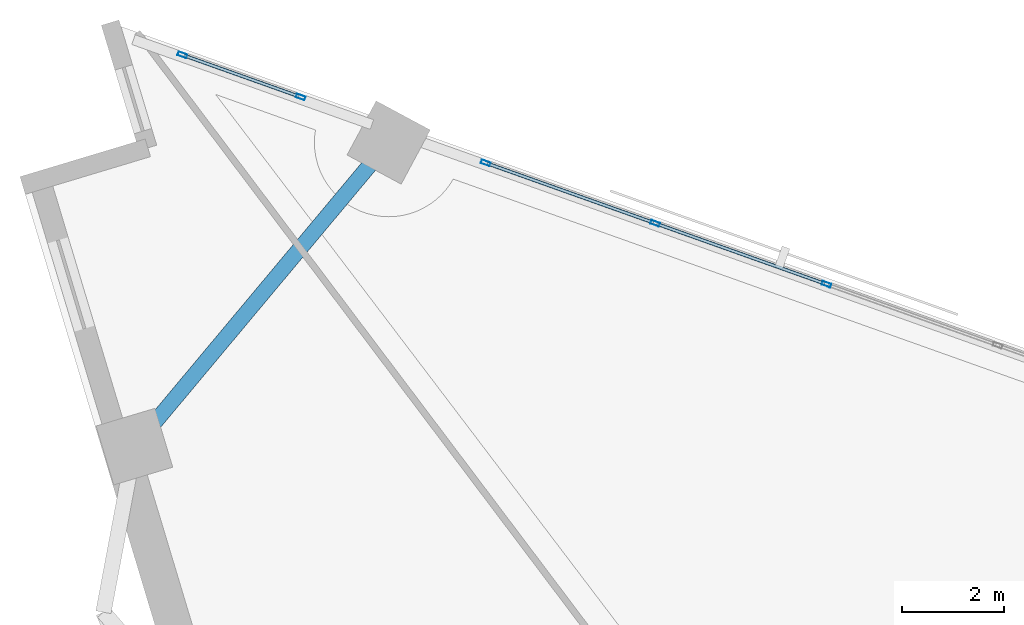
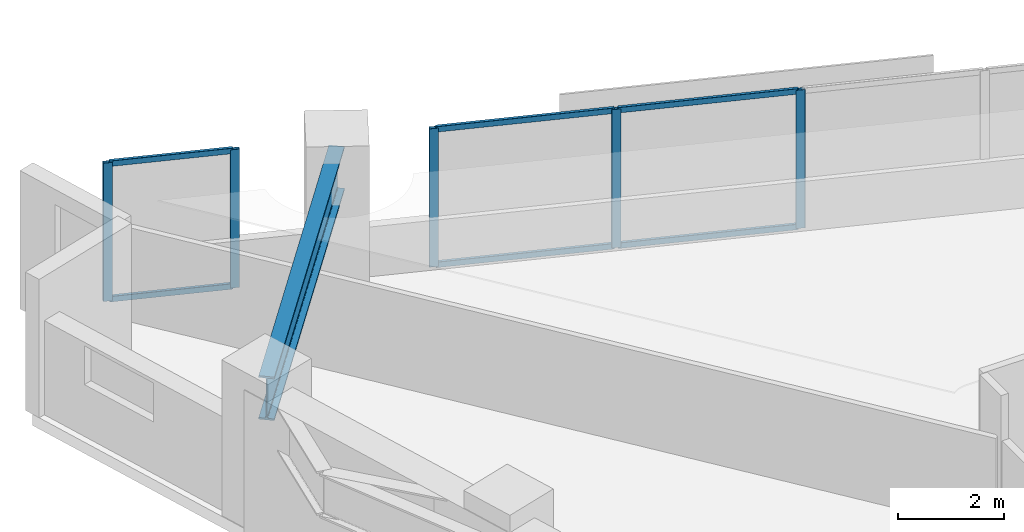
# One storey, part 6 of 14: 11 members, 1 beam, 2 elements without a shape of their own.
"""IFC4 building model written with IfcOpenShell, lengths in metres."""

from ifc_helpers import new_model, si_unit, direction, frame, origin, origin_2d, place, context, subcontext, project, spatial, hollow_rectangle, i_section, extrude, material, material_profile, profile_set, type_object, element, aggregate, save


model = new_model("IFC4")

# Units and contexts
model_context = context("Model", 3, precision=1e-05, world=origin(), true_north=direction((0.0, 1.0)))
body_context = subcontext(model_context, "Body", "Model", "MODEL_VIEW")
ifc_project = project(units=[si_unit("LENGTHUNIT", "METRE"), si_unit("AREAUNIT", "SQUARE_METRE"), si_unit("VOLUMEUNIT", "CUBIC_METRE"), si_unit("PLANEANGLEUNIT", "RADIAN"), si_unit("MASSUNIT", "GRAM", prefix="KILO")], contexts=[model_context])

# Site, building, storey
site_placement = place(None, origin())
site = spatial("IfcSite", under=ifc_project, at=site_placement, CompositionType="ELEMENT")
building_placement = place(site_placement, origin())
building = spatial("IfcBuilding", under=site, at=building_placement, Name="Narakoshi Arena Tower", CompositionType="ELEMENT")
storey_placement = place(building_placement, frame((0.0, 0.0, 161.10009765625)))
storey = spatial("IfcBuildingStorey", under=building, at=storey_placement, Name="L43", CompositionType="ELEMENT", Elevation=161.10009765625)

# Beam
ifc_material_1 = material(Name="Structural steel S460ML", Category="steel")
ifc_material_profile_1 = material_profile(ifc_material_1, i_section(OverallWidth=0.302001953125, OverallDepth=1.008056640625, WebThickness=0.02099609375, FlangeThickness=0.0400390625, FilletRadius=0.030029296875, at=origin_2d()), Name="HE1000M")
ifc_profile_set_1 = profile_set([ifc_material_profile_1], Name="Structural steel S460ML")
beam_type = type_object("IfcBeamType", Name="BM-XFER-1000", PredefinedType="BEAM", material=ifc_profile_set_1)
beam_placement = place(storey_placement, frame((62.545166015625, 71.4501953125, 2.69580078125), z_axis=(-0.641406030011, -0.767201606272, 0.0), x_axis=(0.767201606272, -0.641406030011, 0.0)))
element("IfcBeam", 1, at=beam_placement, inside=storey, type_object=beam_type, Name="L43 Block-Turn Transfer Chord Girder 07", PredefinedType="BEAM", context=body_context, shape_type="SweptSolid", body=[
    extrude(i_section(OverallWidth=0.302001953125, OverallDepth=1.008056640625, WebThickness=0.02099609375, FlangeThickness=0.0400390625, FilletRadius=0.030029296875, at=origin_2d()), origin(), (0.0, 0.0, 1.0), 7.73974609375),
])

# Curtain wall, members
ifc_material_2 = material(Name="Anodised bronze aluminium 6063-T6", Category="aluminium")
curtain_wall_type = type_object("IfcCurtainWallType", Name="CW-HYP-MID", PredefinedType="NOTDEFINED", material=ifc_material_2)
curtain_wall_1_placement = place(storey_placement, origin())
curtain_wall_1 = element("IfcCurtainWall", 2, at=curtain_wall_1_placement, inside=storey, type_object=curtain_wall_type, Name="L43 Folded Hypotenuse Curtain Wall 2-1", PredefinedType="NOTDEFINED")
ifc_material_profile_2 = material_profile(ifc_material_2, hollow_rectangle(XDim=0.074951171875, YDim=0.179931640625, WallThickness=0.00390625, OuterFilletRadius=0.0048828125, at=origin_2d()), Name="MUL180x75x4")
ifc_profile_set_2 = profile_set([ifc_material_profile_2], Name="Anodised bronze aluminium 6063-T6")
member_type_1 = type_object("IfcMemberType", Name="MEM-MUL-180", PredefinedType="MULLION", material=ifc_profile_set_2)
member_1_placement = place(storey_placement, frame((71.092529296875, 68.68212890625, 0.0), z_axis=(0.0, 0.0, 1.0), x_axis=(-0.335518297139, -0.94203368957, 0.0)))
member_1 = element("IfcMember", 3, at=member_1_placement, type_object=member_type_1, Name="CW-02 mullion 6", PredefinedType="MULLION", context=body_context, shape_type="SweptSolid", body=[
    extrude(hollow_rectangle(XDim=0.074951171875, YDim=0.179931640625, WallThickness=0.00390625, OuterFilletRadius=0.0048828125, at=origin_2d()), origin(), (0.0, 0.0, 1.0), 3.199951171875),
])
member_2_placement = place(storey_placement, frame((67.748046875, 69.873291015625, 0.0), z_axis=(0.0, 0.0, 1.0), x_axis=(-0.335518297139, -0.94203368957, 0.0)))
member_2 = element("IfcMember", 4, at=member_2_placement, type_object=member_type_1, Name="CW-02 mullion 7", PredefinedType="MULLION", context=body_context, shape_type="SweptSolid", body=[
    extrude(hollow_rectangle(XDim=0.074951171875, YDim=0.179931640625, WallThickness=0.00390625, OuterFilletRadius=0.0048828125, at=origin_2d()), origin(), (0.0, 0.0, 1.0), 3.199951171875),
])
member_3_placement = place(storey_placement, frame((64.438720703125, 71.052001953125, 0.0), z_axis=(0.0, 0.0, 1.0), x_axis=(-0.335518297139, -0.94203368957, 0.0)))
member_3 = element("IfcMember", 5, at=member_3_placement, type_object=member_type_1, Name="CW-02 mullion 8", PredefinedType="MULLION", context=body_context, shape_type="SweptSolid", body=[
    extrude(hollow_rectangle(XDim=0.074951171875, YDim=0.179931640625, WallThickness=0.00390625, OuterFilletRadius=0.0048828125, at=origin_2d()), origin(), (0.0, 0.0, 1.0), 3.199951171875),
])

curtain_wall_2_placement = place(storey_placement, origin())
curtain_wall_2 = element("IfcCurtainWall", 6, at=curtain_wall_2_placement, inside=storey, type_object=curtain_wall_type, Name="L43 Folded Hypotenuse Curtain Wall 2-2", PredefinedType="NOTDEFINED")
member_4_placement = place(storey_placement, frame((60.826416015625, 72.33837890625, 0.0), z_axis=(0.0, 0.0, 1.0), x_axis=(-0.335541869571, -0.942025293591, 0.0)))
member_4 = element("IfcMember", 7, at=member_4_placement, type_object=member_type_1, Name="CW-02 mullion 1", PredefinedType="MULLION", context=body_context, shape_type="SweptSolid", body=[
    extrude(hollow_rectangle(XDim=0.074951171875, YDim=0.179931640625, WallThickness=0.00390625, OuterFilletRadius=0.0048828125, at=origin_2d()), origin(), (0.0, 0.0, 1.0), 3.199951171875),
])
member_5_placement = place(storey_placement, frame((58.515625, 73.16162109375, 0.0), z_axis=(0.0, 0.0, 1.0), x_axis=(-0.335541869571, -0.942025293591, 0.0)))
member_5 = element("IfcMember", 8, at=member_5_placement, type_object=member_type_1, Name="CW-02 mullion 2", PredefinedType="MULLION", context=body_context, shape_type="SweptSolid", body=[
    extrude(hollow_rectangle(XDim=0.074951171875, YDim=0.179931640625, WallThickness=0.00390625, OuterFilletRadius=0.0048828125, at=origin_2d()), origin(), (0.0, 0.0, 1.0), 3.199951171875),
])

# Member
ifc_material_profile_3 = material_profile(ifc_material_2, hollow_rectangle(XDim=0.06494140625, YDim=0.1298828125, WallThickness=0.00390625, OuterFilletRadius=0.0048828125, at=origin_2d()), Name="TRN130x65x4")
ifc_profile_set_3 = profile_set([ifc_material_profile_3], Name="Anodised bronze aluminium 6063-T6")
member_type_2 = type_object("IfcMemberType", Name="MEM-TRN-130", PredefinedType="USERDEFINED", material=ifc_profile_set_3)
member_6_placement = place(storey_placement, frame((71.05712890625, 68.694580078125, 0.032470703125), z_axis=(-0.942014960696, 0.335570877498, 0.0), x_axis=(-0.335570877498, -0.942014960696, 0.0)))
member_6 = element("IfcMember", 9, at=member_6_placement, type_object=member_type_2, Name="CW-02 transom 6.1", ObjectType="TRANSOM", PredefinedType="USERDEFINED", context=body_context, shape_type="SweptSolid", body=[
    extrude(hollow_rectangle(XDim=0.06494140625, YDim=0.1298828125, WallThickness=0.00390625, OuterFilletRadius=0.0048828125, at=origin_2d()), origin(), (0.0, 0.0, 1.0), 3.475341796875),
])

member_7_placement = place(storey_placement, frame((71.05712890625, 68.694580078125, 3.16748046875), z_axis=(-0.942014960696, 0.335570877498, 0.0), x_axis=(-0.335570877498, -0.942014960696, 0.0)))
member_7 = element("IfcMember", 10, at=member_7_placement, type_object=member_type_2, Name="CW-02 transom 6.2", ObjectType="TRANSOM", PredefinedType="USERDEFINED", context=body_context, shape_type="SweptSolid", body=[
    extrude(hollow_rectangle(XDim=0.06494140625, YDim=0.1298828125, WallThickness=0.00390625, OuterFilletRadius=0.0048828125, at=origin_2d()), origin(), (0.0, 0.0, 1.0), 3.475341796875),
])

member_8_placement = place(storey_placement, frame((67.712646484375, 69.885986328125, 0.032470703125), z_axis=(-0.942045199235, 0.335485979735, 0.0), x_axis=(-0.335485979735, -0.942045199235, 0.0)))
member_8 = element("IfcMember", 11, at=member_8_placement, type_object=member_type_2, Name="CW-02 transom 7.1", ObjectType="TRANSOM", PredefinedType="USERDEFINED", context=body_context, shape_type="SweptSolid", body=[
    extrude(hollow_rectangle(XDim=0.06494140625, YDim=0.1298828125, WallThickness=0.00390625, OuterFilletRadius=0.0048828125, at=origin_2d()), origin(), (0.0, 0.0, 1.0), 3.437744140625),
])

member_9_placement = place(storey_placement, frame((67.712646484375, 69.885986328125, 3.16748046875), z_axis=(-0.942045199235, 0.335485979735, 0.0), x_axis=(-0.335485979735, -0.942045199235, 0.0)))
member_9 = element("IfcMember", 12, at=member_9_placement, type_object=member_type_2, Name="CW-02 transom 7.2", ObjectType="TRANSOM", PredefinedType="USERDEFINED", context=body_context, shape_type="SweptSolid", body=[
    extrude(hollow_rectangle(XDim=0.06494140625, YDim=0.1298828125, WallThickness=0.00390625, OuterFilletRadius=0.0048828125, at=origin_2d()), origin(), (0.0, 0.0, 1.0), 3.437744140625),
])

aggregate(curtain_wall_1, [member_1, member_2, member_3, member_6, member_7, member_8, member_9])

member_10_placement = place(storey_placement, frame((60.791015625, 72.35107421875, 0.032470703125), z_axis=(-0.942027291531, 0.335536260351, 0.0), x_axis=(-0.335536260351, -0.942027291531, 0.0)))
member_10 = element("IfcMember", 13, at=member_10_placement, type_object=member_type_2, Name="CW-02 transom 1.1", ObjectType="TRANSOM", PredefinedType="USERDEFINED", context=body_context, shape_type="SweptSolid", body=[
    extrude(hollow_rectangle(XDim=0.06494140625, YDim=0.1298828125, WallThickness=0.00390625, OuterFilletRadius=0.0048828125, at=origin_2d()), origin(), (0.0, 0.0, 1.0), 2.3779296875),
])

member_11_placement = place(storey_placement, frame((60.791015625, 72.35107421875, 3.16748046875), z_axis=(-0.942027291531, 0.335536260351, 0.0), x_axis=(-0.335536260351, -0.942027291531, 0.0)))
member_11 = element("IfcMember", 14, at=member_11_placement, type_object=member_type_2, Name="CW-02 transom 1.2", ObjectType="TRANSOM", PredefinedType="USERDEFINED", context=body_context, shape_type="SweptSolid", body=[
    extrude(hollow_rectangle(XDim=0.06494140625, YDim=0.1298828125, WallThickness=0.00390625, OuterFilletRadius=0.0048828125, at=origin_2d()), origin(), (0.0, 0.0, 1.0), 2.3779296875),
])

aggregate(curtain_wall_2, [member_4, member_5, member_10, member_11])

save(model, "model.ifc")
